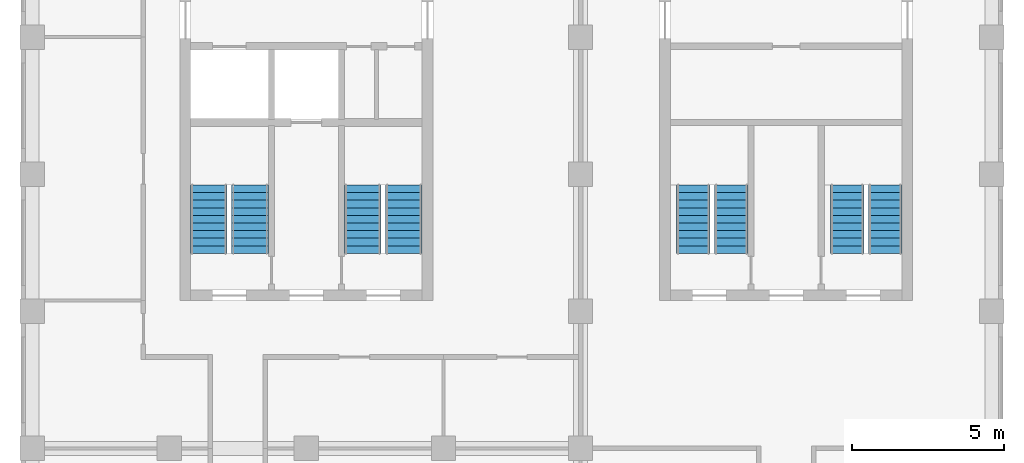
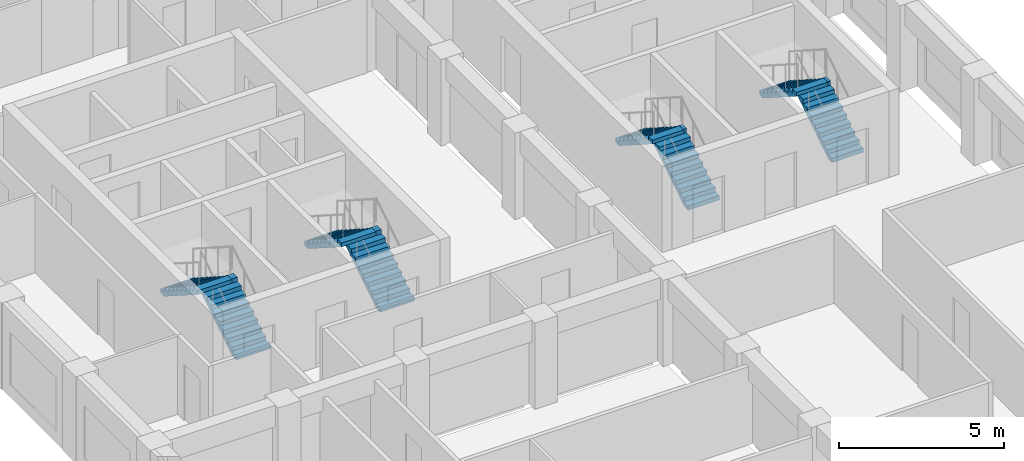
# One storey, part 7 of 9: 8 stair flights, 4 elements without a shape of their own.
"""IFC4 building model written with IfcOpenShell, lengths in metres."""

from ifc_helpers import new_model, si_unit, direction, frame, origin, place, context, subcontext, project, spatial, polyline, outline, extrude, material, type_object, element, aggregate, save


model = new_model("IFC4")

# Units and contexts
model_context = context("Model", 3, precision=1e-05, world=origin(), true_north=direction((0.0, 1.0)))
body_context = subcontext(model_context, "Body", "Model", "MODEL_VIEW")
ifc_project = project(units=[si_unit("LENGTHUNIT", "METRE"), si_unit("AREAUNIT", "SQUARE_METRE"), si_unit("VOLUMEUNIT", "CUBIC_METRE"), si_unit("PLANEANGLEUNIT", "RADIAN"), si_unit("MASSUNIT", "GRAM", prefix="KILO")], contexts=[model_context])

# Site, building, storey
site_placement = place(None, origin())
site = spatial("IfcSite", under=ifc_project, at=site_placement, CompositionType="ELEMENT")
building_placement = place(site_placement, origin())
building = spatial("IfcBuilding", under=site, at=building_placement, Name="Girih Gate Residences", CompositionType="ELEMENT")
storey_placement = place(building_placement, frame((0.0, 0.0, 185.89990234375)))
storey = spatial("IfcBuildingStorey", under=building, at=storey_placement, Name="L51", CompositionType="ELEMENT", Elevation=185.89990234375)

# Stair, stair flights
ifc_material = material(Name="Concrete C40/50", Category="concrete")
stair_type_1 = type_object("IfcStairType", Name="Exit stair C core", PredefinedType="HALF_TURN_STAIR", material=ifc_material)
stair_1_placement = place(storey_placement, origin())
stair_1 = element("IfcStair", 1, at=stair_1_placement, inside=storey, type_object=stair_type_1, Name="L51 Exit Stair ST-C1", PredefinedType="HALF_TURN_STAIR")
stair_flight_type_1 = type_object("IfcStairFlightType", Name="Stair flight 1100", PredefinedType="STRAIGHT", material=ifc_material)
stair_flight_1_placement = place(storey_placement, frame((22.949951171875, 28.89990234375, 0.0), z_axis=(0.0, 0.0, 1.0), x_axis=(0.0, 1.0, 0.0)))
stair_flight_1 = element("IfcStairFlight", 2, at=stair_flight_1_placement, type_object=stair_flight_type_1, Name="ST-C1 flight 1", NumberOfRisers=10, NumberOfTreads=9, PredefinedType="STRAIGHT", RiserHeight=0.16, TreadLength=0.25, context=body_context, shape_type="SweptSolid", body=[
    extrude(outline(polyline([(0.0, 0.0), (0.0, 0.159912109375), (0.25, 0.159912109375), (0.25, 0.320068359375), (0.5, 0.320068359375), (0.5, 0.47998046875), (0.75, 0.47998046875), (0.75, 0.639892578125), (1.0, 0.639892578125), (1.0, 0.800048828125), (1.25, 0.800048828125), (1.25, 0.9599609375), (1.5, 0.9599609375), (1.5, 1.1201171875), (1.75, 1.1201171875), (1.75, 1.280029296875), (2.0, 1.280029296875), (2.0, 1.43994140625), (2.25, 1.43994140625), (2.25, 1.60009765625), (2.25, 1.29736328125), (0.222900390625, 0.0), (0.0, 0.0)])), frame((0.0, 0.550048828125, 0.0), z_axis=(0.0, -1.0, 0.0), x_axis=(1.0, 0.0, 0.0)), (0.0, 0.0, 1.0), 1.10009765625),
])
stair_flight_2_placement = place(storey_placement, frame((21.699951171875, 31.14990234375, 1.60009765625), z_axis=(0.0, 0.0, 1.0), x_axis=(0.0, -1.0, 0.0)))
stair_flight_2 = element("IfcStairFlight", 3, at=stair_flight_2_placement, type_object=stair_flight_type_1, Name="ST-C1 flight 2", NumberOfRisers=10, NumberOfTreads=9, PredefinedType="STRAIGHT", RiserHeight=0.16, TreadLength=0.25, context=body_context, shape_type="SweptSolid", body=[
    extrude(outline(polyline([(0.0, 0.0), (0.0, 0.159912109375), (0.25, 0.159912109375), (0.25, 0.320068359375), (0.5, 0.320068359375), (0.5, 0.47998046875), (0.75, 0.47998046875), (0.75, 0.639892578125), (1.0, 0.639892578125), (1.0, 0.800048828125), (1.25, 0.800048828125), (1.25, 0.9599609375), (1.5, 0.9599609375), (1.5, 1.1201171875), (1.75, 1.1201171875), (1.75, 1.280029296875), (2.0, 1.280029296875), (2.0, 1.43994140625), (2.25, 1.43994140625), (2.25, 1.60009765625), (2.25, 1.29736328125), (0.222900390625, 0.0), (0.0, 0.0)])), frame((0.0, 0.550048828125, 0.0), z_axis=(0.0, -1.0, 0.0), x_axis=(1.0, 0.0, 0.0)), (0.0, 0.0, 1.0), 1.10009765625),
])
aggregate(stair_1, [stair_flight_1, stair_flight_2])

stair_2_placement = place(storey_placement, origin())
stair_2 = element("IfcStair", 4, at=stair_2_placement, inside=storey, type_object=stair_type_1, Name="L51 Exit Stair ST-C2", PredefinedType="HALF_TURN_STAIR")
stair_flight_3_placement = place(storey_placement, frame((28.0, 28.89990234375, 0.0), z_axis=(0.0, 0.0, 1.0), x_axis=(0.0, 1.0, 0.0)))
stair_flight_3 = element("IfcStairFlight", 5, at=stair_flight_3_placement, type_object=stair_flight_type_1, Name="ST-C2 flight 1", NumberOfRisers=10, NumberOfTreads=9, PredefinedType="STRAIGHT", RiserHeight=0.16, TreadLength=0.25, context=body_context, shape_type="SweptSolid", body=[
    extrude(outline(polyline([(0.0, 0.0), (0.0, 0.159912109375), (0.25, 0.159912109375), (0.25, 0.320068359375), (0.5, 0.320068359375), (0.5, 0.47998046875), (0.75, 0.47998046875), (0.75, 0.639892578125), (1.0, 0.639892578125), (1.0, 0.800048828125), (1.25, 0.800048828125), (1.25, 0.9599609375), (1.5, 0.9599609375), (1.5, 1.1201171875), (1.75, 1.1201171875), (1.75, 1.280029296875), (2.0, 1.280029296875), (2.0, 1.43994140625), (2.25, 1.43994140625), (2.25, 1.60009765625), (2.25, 1.29736328125), (0.222900390625, 0.0), (0.0, 0.0)])), frame((0.0, 0.550048828125, 0.0), z_axis=(0.0, -1.0, 0.0), x_axis=(1.0, 0.0, 0.0)), (0.0, 0.0, 1.0), 1.10009765625),
])
stair_flight_4_placement = place(storey_placement, frame((26.75, 31.14990234375, 1.60009765625), z_axis=(0.0, 0.0, 1.0), x_axis=(0.0, -1.0, 0.0)))
stair_flight_4 = element("IfcStairFlight", 6, at=stair_flight_4_placement, type_object=stair_flight_type_1, Name="ST-C2 flight 2", NumberOfRisers=10, NumberOfTreads=9, PredefinedType="STRAIGHT", RiserHeight=0.16, TreadLength=0.25, context=body_context, shape_type="SweptSolid", body=[
    extrude(outline(polyline([(0.0, 0.0), (0.0, 0.159912109375), (0.25, 0.159912109375), (0.25, 0.320068359375), (0.5, 0.320068359375), (0.5, 0.47998046875), (0.75, 0.47998046875), (0.75, 0.639892578125), (1.0, 0.639892578125), (1.0, 0.800048828125), (1.25, 0.800048828125), (1.25, 0.9599609375), (1.5, 0.9599609375), (1.5, 1.1201171875), (1.75, 1.1201171875), (1.75, 1.280029296875), (2.0, 1.280029296875), (2.0, 1.43994140625), (2.25, 1.43994140625), (2.25, 1.60009765625), (2.25, 1.29736328125), (0.222900390625, 0.0), (0.0, 0.0)])), frame((0.0, 0.550048828125, 0.0), z_axis=(0.0, -1.0, 0.0), x_axis=(1.0, 0.0, 0.0)), (0.0, 0.0, 1.0), 1.10009765625),
])
aggregate(stair_2, [stair_flight_3, stair_flight_4])

stair_type_2 = type_object("IfcStairType", Name="Exit stair", PredefinedType="HALF_TURN_STAIR", material=ifc_material)
stair_3_placement = place(storey_placement, origin())
stair_3 = element("IfcStair", 7, at=stair_3_placement, inside=storey, type_object=stair_type_2, Name="L51 Exit Stair ST-W1", PredefinedType="HALF_TURN_STAIR")
stair_flight_type_2 = type_object("IfcStairFlightType", Name="Stair flight 1200", PredefinedType="STRAIGHT", material=ifc_material)
stair_flight_5_placement = place(storey_placement, frame((7.14990234375, 28.89990234375, 0.0), z_axis=(0.0, 0.0, 1.0), x_axis=(0.0, 1.0, 0.0)))
stair_flight_5 = element("IfcStairFlight", 8, at=stair_flight_5_placement, type_object=stair_flight_type_2, Name="ST-W1 flight 1", NumberOfRisers=10, NumberOfTreads=9, PredefinedType="STRAIGHT", RiserHeight=0.16, TreadLength=0.25, context=body_context, shape_type="SweptSolid", body=[
    extrude(outline(polyline([(0.0, 0.0), (0.0, 0.159912109375), (0.25, 0.159912109375), (0.25, 0.320068359375), (0.5, 0.320068359375), (0.5, 0.47998046875), (0.75, 0.47998046875), (0.75, 0.639892578125), (1.0, 0.639892578125), (1.0, 0.800048828125), (1.25, 0.800048828125), (1.25, 0.9599609375), (1.5, 0.9599609375), (1.5, 1.1201171875), (1.75, 1.1201171875), (1.75, 1.280029296875), (2.0, 1.280029296875), (2.0, 1.43994140625), (2.25, 1.43994140625), (2.25, 1.60009765625), (2.25, 1.29736328125), (0.222900390625, 0.0), (0.0, 0.0)])), frame((0.0, 0.60009765625, 0.0), z_axis=(0.0, -1.0, 0.0), x_axis=(1.0, 0.0, 0.0)), (0.0, 0.0, 1.0), 1.199951171875),
])
stair_flight_6_placement = place(storey_placement, frame((5.800048828125, 31.14990234375, 1.60009765625), z_axis=(0.0, 0.0, 1.0), x_axis=(0.0, -1.0, 0.0)))
stair_flight_6 = element("IfcStairFlight", 9, at=stair_flight_6_placement, type_object=stair_flight_type_2, Name="ST-W1 flight 2", NumberOfRisers=10, NumberOfTreads=9, PredefinedType="STRAIGHT", RiserHeight=0.16, TreadLength=0.25, context=body_context, shape_type="SweptSolid", body=[
    extrude(outline(polyline([(0.0, 0.0), (0.0, 0.159912109375), (0.25, 0.159912109375), (0.25, 0.320068359375), (0.5, 0.320068359375), (0.5, 0.47998046875), (0.75, 0.47998046875), (0.75, 0.639892578125), (1.0, 0.639892578125), (1.0, 0.800048828125), (1.25, 0.800048828125), (1.25, 0.9599609375), (1.5, 0.9599609375), (1.5, 1.1201171875), (1.75, 1.1201171875), (1.75, 1.280029296875), (2.0, 1.280029296875), (2.0, 1.43994140625), (2.25, 1.43994140625), (2.25, 1.60009765625), (2.25, 1.29736328125), (0.222900390625, 0.0), (0.0, 0.0)])), frame((0.0, 0.60009765625, 0.0), z_axis=(0.0, -1.0, 0.0), x_axis=(1.0, 0.0, 0.0)), (0.0, 0.0, 1.0), 1.199951171875),
])
aggregate(stair_3, [stair_flight_5, stair_flight_6])

stair_4_placement = place(storey_placement, origin())
stair_4 = element("IfcStair", 10, at=stair_4_placement, inside=storey, type_object=stair_type_2, Name="L51 Exit Stair ST-W2", PredefinedType="HALF_TURN_STAIR")
stair_flight_7_placement = place(storey_placement, frame((12.199951171875, 28.89990234375, 0.0), z_axis=(0.0, 0.0, 1.0), x_axis=(0.0, 1.0, 0.0)))
stair_flight_7 = element("IfcStairFlight", 11, at=stair_flight_7_placement, type_object=stair_flight_type_2, Name="ST-W2 flight 1", NumberOfRisers=10, NumberOfTreads=9, PredefinedType="STRAIGHT", RiserHeight=0.16, TreadLength=0.25, context=body_context, shape_type="SweptSolid", body=[
    extrude(outline(polyline([(0.0, 0.0), (0.0, 0.159912109375), (0.25, 0.159912109375), (0.25, 0.320068359375), (0.5, 0.320068359375), (0.5, 0.47998046875), (0.75, 0.47998046875), (0.75, 0.639892578125), (1.0, 0.639892578125), (1.0, 0.800048828125), (1.25, 0.800048828125), (1.25, 0.9599609375), (1.5, 0.9599609375), (1.5, 1.1201171875), (1.75, 1.1201171875), (1.75, 1.280029296875), (2.0, 1.280029296875), (2.0, 1.43994140625), (2.25, 1.43994140625), (2.25, 1.60009765625), (2.25, 1.29736328125), (0.222900390625, 0.0), (0.0, 0.0)])), frame((0.0, 0.60009765625, 0.0), z_axis=(0.0, -1.0, 0.0), x_axis=(1.0, 0.0, 0.0)), (0.0, 0.0, 1.0), 1.199951171875),
])
stair_flight_8_placement = place(storey_placement, frame((10.85009765625, 31.14990234375, 1.60009765625), z_axis=(0.0, 0.0, 1.0), x_axis=(0.0, -1.0, 0.0)))
stair_flight_8 = element("IfcStairFlight", 12, at=stair_flight_8_placement, type_object=stair_flight_type_2, Name="ST-W2 flight 2", NumberOfRisers=10, NumberOfTreads=9, PredefinedType="STRAIGHT", RiserHeight=0.16, TreadLength=0.25, context=body_context, shape_type="SweptSolid", body=[
    extrude(outline(polyline([(0.0, 0.0), (0.0, 0.159912109375), (0.25, 0.159912109375), (0.25, 0.320068359375), (0.5, 0.320068359375), (0.5, 0.47998046875), (0.75, 0.47998046875), (0.75, 0.639892578125), (1.0, 0.639892578125), (1.0, 0.800048828125), (1.25, 0.800048828125), (1.25, 0.9599609375), (1.5, 0.9599609375), (1.5, 1.1201171875), (1.75, 1.1201171875), (1.75, 1.280029296875), (2.0, 1.280029296875), (2.0, 1.43994140625), (2.25, 1.43994140625), (2.25, 1.60009765625), (2.25, 1.29736328125), (0.222900390625, 0.0), (0.0, 0.0)])), frame((0.0, 0.60009765625, 0.0), z_axis=(0.0, -1.0, 0.0), x_axis=(1.0, 0.0, 0.0)), (0.0, 0.0, 1.0), 1.199951171875),
])
aggregate(stair_4, [stair_flight_7, stair_flight_8])

save(model, "model.ifc")
